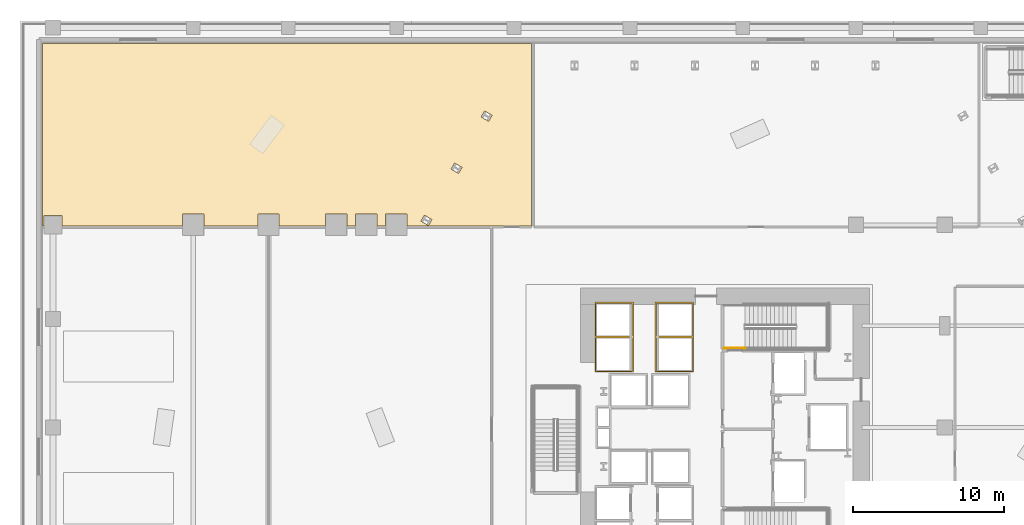
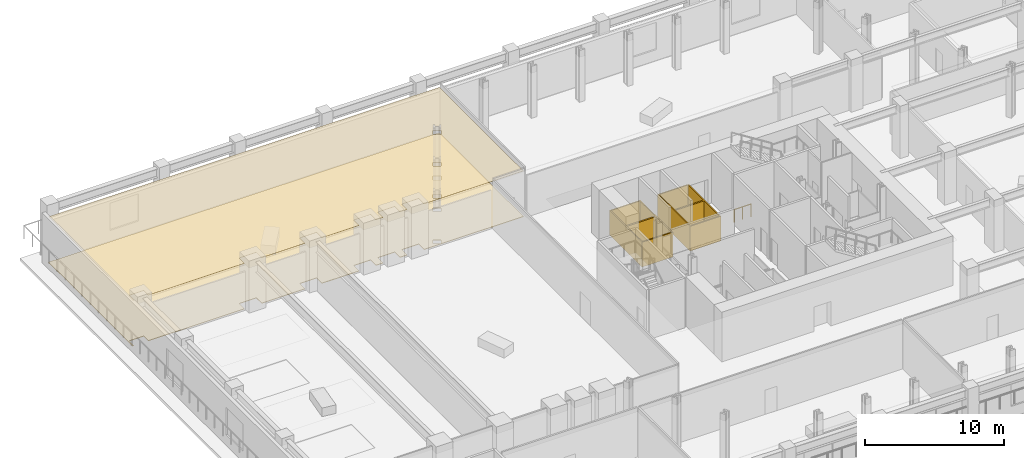
# One storey, part 14 of 18: 4 coverings, 1 railing.
"""IFC4 building model written with IfcOpenShell, lengths in metres."""

from ifc_helpers import new_model, si_unit, direction, frame, origin, origin_2d, place, context, subcontext, project, spatial, polyline, circle, outline, extrude, material, layer, layer_set, type_object, element, save


model = new_model("IFC4")

# Units and contexts
model_context = context("Model", 3, precision=1e-05, world=origin(), true_north=direction((0.0, 1.0)))
body_context = subcontext(model_context, "Body", "Model", "MODEL_VIEW")
ifc_project = project(units=[si_unit("LENGTHUNIT", "METRE"), si_unit("AREAUNIT", "SQUARE_METRE"), si_unit("VOLUMEUNIT", "CUBIC_METRE"), si_unit("PLANEANGLEUNIT", "RADIAN"), si_unit("MASSUNIT", "GRAM", prefix="KILO")], contexts=[model_context])

# Site, building, storey
site_placement = place(None, origin())
site = spatial("IfcSite", under=ifc_project, at=site_placement, CompositionType="ELEMENT")
building_placement = place(site_placement, origin())
building = spatial("IfcBuilding", under=site, at=building_placement, Name="Valkerne Bourse Tower", CompositionType="ELEMENT")
storey_placement = place(building_placement, frame((0.0, 0.0, 10.199951171875)))
storey = spatial("IfcBuildingStorey", under=building, at=storey_placement, Name="L02", CompositionType="ELEMENT", Elevation=10.199951171875)

# Coverings
ifc_material_1 = material(Name="Mineral Fiber Acoustic Ceiling Tile", Category="acoustic")
ifc_layer_1 = layer(ifc_material_1, 0.02490234375)
ifc_layer_set_1 = layer_set([ifc_layer_1], Name="Mineral Fiber Acoustic Ceiling Tile")
covering_type_1 = type_object("IfcCoveringType", Name="COV-CEIL-ACT", PredefinedType="CEILING", material=ifc_layer_set_1)
covering_1_placement = place(storey_placement, frame((0.0, 0.0, 4.010009765625)))
element("IfcCovering", 1, at=covering_1_placement, inside=storey, type_object=covering_type_1, Name="L02 Suspended Ceiling 11", PredefinedType="CEILING", context=body_context, shape_type="SweptSolid", body=[
    extrude(outline(polyline([(1.50390625, 52.49609375), (33.946044921875, 52.49609375), (33.946044921875, 40.384033203125), (25.69189453125, 40.384033203125), (25.69189453125, 41.154052734375), (24.283935546875, 41.154052734375), (24.283935546875, 40.384033203125), (23.695068359375, 40.384033203125), (23.695068359375, 41.154052734375), (22.287109375, 41.154052734375), (22.287109375, 40.384033203125), (21.696044921875, 40.384033203125), (21.696044921875, 41.154052734375), (20.2880859375, 41.154052734375), (20.2880859375, 40.384033203125), (17.2041015625, 40.384033203125), (17.2041015625, 41.154052734375), (15.7958984375, 41.154052734375), (15.7958984375, 40.384033203125), (12.2041015625, 40.384033203125), (12.2041015625, 41.154052734375), (10.7958984375, 41.154052734375), (10.7958984375, 40.384033203125), (2.803955078125, 40.384033203125), (2.803955078125, 41.053955078125), (1.595947265625, 41.053955078125), (1.595947265625, 40.384033203125), (1.50390625, 40.384033203125), (1.50390625, 52.49609375)]), holes=[polyline([(26.62109375, 40.690185546875), (27.12060546875, 40.40185546875), (27.35205078125, 40.802490234375), (26.852294921875, 41.091064453125), (26.62109375, 40.690185546875)]), polyline([(28.850341796875, 44.5517578125), (28.618896484375, 44.15087890625), (29.11865234375, 43.862548828125), (29.35009765625, 44.26318359375), (28.850341796875, 44.5517578125)]), polyline([(30.616943359375, 47.611572265625), (31.11669921875, 47.322998046875), (31.347900390625, 47.723876953125), (30.848388671875, 48.01220703125), (30.616943359375, 47.611572265625)])]), origin(), (0.0, 0.0, 1.0), 0.025146484375),
])
ifc_material_2 = material(Name="Galvanised Painted Steel", Category="steel")
ifc_layer_2 = layer(ifc_material_2, 0.044921875)
ifc_layer_set_2 = layer_set([ifc_layer_2], Name="Galvanised Painted Steel")
covering_type_2 = type_object("IfcCoveringType", Name="COV-FLR-RAF", PredefinedType="FLOORING", material=ifc_layer_set_2)
covering_2_placement = place(storey_placement, origin())
element("IfcCovering", 2, at=covering_2_placement, inside=storey, type_object=covering_type_2, Name="L02 Floor Finish 11", PredefinedType="FLOORING", context=body_context, shape_type="SweptSolid", body=[
    extrude(outline(polyline([(1.50390625, 52.49609375), (33.946044921875, 52.49609375), (33.946044921875, 40.384033203125), (25.69189453125, 40.384033203125), (25.69189453125, 41.154052734375), (24.283935546875, 41.154052734375), (24.283935546875, 40.384033203125), (23.695068359375, 40.384033203125), (23.695068359375, 41.154052734375), (22.287109375, 41.154052734375), (22.287109375, 40.384033203125), (21.696044921875, 40.384033203125), (21.696044921875, 41.154052734375), (20.2880859375, 41.154052734375), (20.2880859375, 40.384033203125), (17.2041015625, 40.384033203125), (17.2041015625, 41.154052734375), (15.7958984375, 41.154052734375), (15.7958984375, 40.384033203125), (12.2041015625, 40.384033203125), (12.2041015625, 41.154052734375), (10.7958984375, 41.154052734375), (10.7958984375, 40.384033203125), (2.803955078125, 40.384033203125), (2.803955078125, 41.053955078125), (1.595947265625, 41.053955078125), (1.595947265625, 40.384033203125), (1.50390625, 40.384033203125), (1.50390625, 52.49609375)]), holes=[polyline([(26.62109375, 40.690185546875), (27.12060546875, 40.40185546875), (27.35205078125, 40.802490234375), (26.852294921875, 41.091064453125), (26.62109375, 40.690185546875)]), polyline([(28.850341796875, 44.5517578125), (28.618896484375, 44.15087890625), (29.11865234375, 43.862548828125), (29.35009765625, 44.26318359375), (28.850341796875, 44.5517578125)]), polyline([(30.616943359375, 47.611572265625), (31.11669921875, 47.322998046875), (31.347900390625, 47.723876953125), (30.848388671875, 48.01220703125), (30.616943359375, 47.611572265625)])]), origin(), (0.0, 0.0, 1.0), 0.045166015625),
])
ifc_material_3 = material(Name="Gypsum Shaftwall Liner Board", Category="gypsum")
ifc_layer_3 = layer(ifc_material_3, 0.080078125)
ifc_layer_set_3 = layer_set([ifc_layer_3], Name="Gypsum Shaftwall Liner Board")
covering_type_3 = type_object("IfcCoveringType", Name="COV-SHF-CLAD", PredefinedType="CLADDING", material=ifc_layer_set_3)
covering_3_placement = place(storey_placement, origin())
element("IfcCovering", 3, at=covering_3_placement, inside=storey, type_object=covering_type_3, Name="L02 Hoistway & Riser Shaftwall Liner 05", PredefinedType="CLADDING", context=body_context, shape_type="SweptSolid", body=[
    extrude(outline(polyline([(38.169921875, 35.330078125), (40.72998046875, 35.330078125), (40.72998046875, 33.030029296875), (40.72998046875, 32.969970703125), (40.72998046875, 30.669921875), (38.169921875, 30.669921875), (38.169921875, 32.969970703125), (38.169921875, 33.030029296875), (38.169921875, 35.330078125)]), holes=[polyline([(38.260009765625, 32.93994140625), (38.260009765625, 30.760009765625), (40.639892578125, 30.760009765625), (40.639892578125, 32.93994140625), (38.260009765625, 32.93994140625)]), polyline([(38.260009765625, 35.239990234375), (38.260009765625, 33.06005859375), (40.639892578125, 33.06005859375), (40.639892578125, 35.239990234375), (38.260009765625, 35.239990234375)])]), origin(), (0.0, 0.0, 1.0), 2.179931640625),
])
covering_4_placement = place(storey_placement, origin())
element("IfcCovering", 4, at=covering_4_placement, inside=storey, type_object=covering_type_3, Name="L02 Hoistway & Riser Shaftwall Liner 11", PredefinedType="CLADDING", context=body_context, shape_type="SweptSolid", body=[
    extrude(outline(polyline([(44.72998046875, 35.330078125), (44.72998046875, 33.030029296875), (44.72998046875, 32.969970703125), (44.72998046875, 30.669921875), (42.169921875, 30.669921875), (42.169921875, 32.969970703125), (42.169921875, 33.030029296875), (42.169921875, 35.330078125), (44.72998046875, 35.330078125)]), holes=[polyline([(42.260009765625, 30.760009765625), (44.639892578125, 30.760009765625), (44.639892578125, 32.93994140625), (42.260009765625, 32.93994140625), (42.260009765625, 30.760009765625)]), polyline([(42.260009765625, 33.06005859375), (44.639892578125, 33.06005859375), (44.639892578125, 35.239990234375), (42.260009765625, 35.239990234375), (42.260009765625, 33.06005859375)])]), origin(), (0.0, 0.0, 1.0), 2.179931640625),
])

# Railing
railing_type = type_object("IfcRailingType", Name="RLG-ST-GUARD-1120", PredefinedType="GUARDRAIL", material=ifc_material_2)
railing_placement = place(storey_placement, frame((46.75, 32.25, 0.0)))
element("IfcRailing", 5, at=railing_placement, inside=storey, type_object=railing_type, Name="L02 ST-2 stair guard 8", PredefinedType="GUARDRAIL", context=body_context, shape_type="SweptSolid", body=[
    extrude(circle(Radius=0.02392578125, at=origin_2d()), frame((0.0, 0.0, 1.09619140625), z_axis=(1.0, 0.0, 0.0), x_axis=(0.0, 1.0, 0.0)), (0.0, 0.0, 1.0), 1.39990234375),
    extrude(circle(Radius=0.02099609375, at=origin_2d()), origin(), (0.0, 0.0, 1.0), 1.072021484375),
    extrude(circle(Radius=0.02099609375, at=origin_2d()), frame((0.699951171875, 0.0, 0.0)), (0.0, 0.0, 1.0), 1.072021484375),
    extrude(circle(Radius=0.02099609375, at=origin_2d()), frame((1.39990234375, 0.0, 0.0)), (0.0, 0.0, 1.0), 1.072021484375),
])

save(model, "model.ifc")
